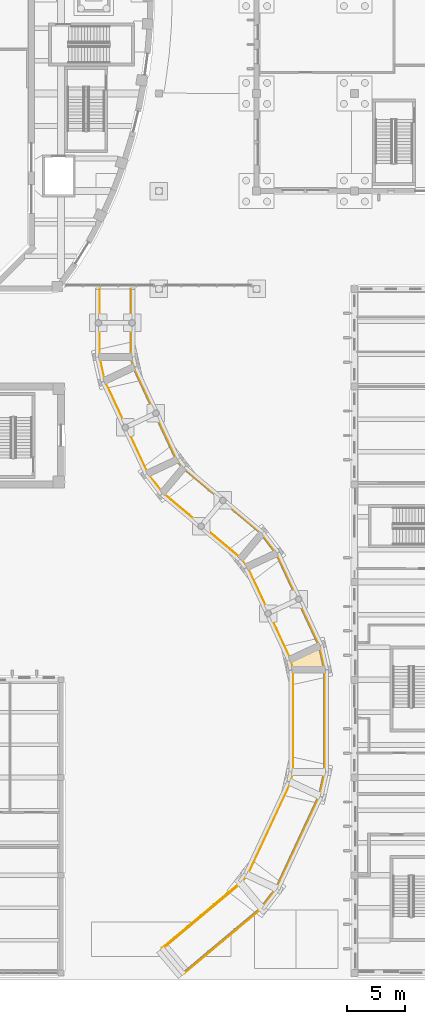
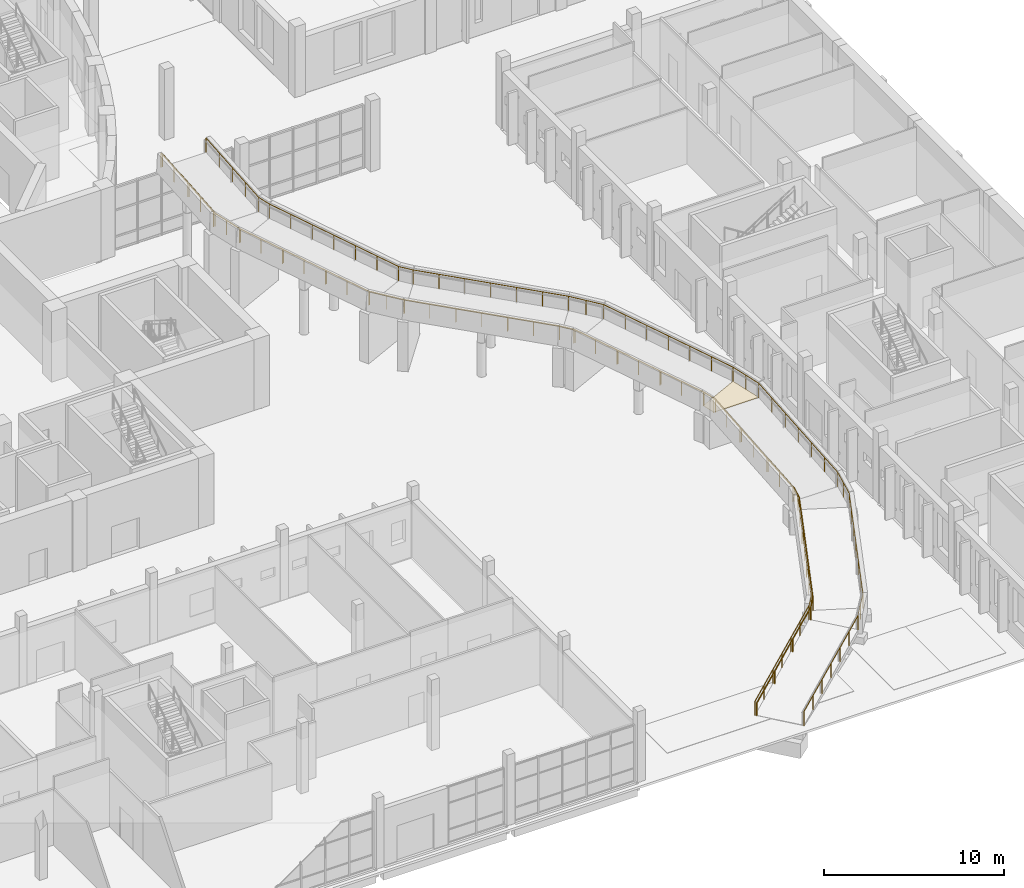
# One storey, part 87 of 110: 3 railings, 1 covering.
"""IFC4 building model written with IfcOpenShell, lengths in metres."""

from ifc_helpers import new_model, si_unit, direction, frame, origin, origin_2d, place, context, subcontext, project, spatial, polyline, circle, outline, extrude, material, layer, layer_set, type_object, element, save


model = new_model("IFC4")

# Units and contexts
model_context = context("Model", 3, precision=1e-05, world=origin(), true_north=direction((0.0, 1.0)))
body_context = subcontext(model_context, "Body", "Model", "MODEL_VIEW")
ifc_project = project(units=[si_unit("LENGTHUNIT", "METRE"), si_unit("AREAUNIT", "SQUARE_METRE"), si_unit("VOLUMEUNIT", "CUBIC_METRE"), si_unit("PLANEANGLEUNIT", "RADIAN"), si_unit("MASSUNIT", "GRAM", prefix="KILO")], contexts=[model_context])

# Site, building, storey
site_placement = place(None, origin())
site = spatial("IfcSite", under=ifc_project, at=site_placement, CompositionType="ELEMENT")
building_placement = place(site_placement, origin())
building = spatial("IfcBuilding", under=site, at=building_placement, Name="Larchfold Concert Hall", CompositionType="ELEMENT")
storey_placement = place(building_placement, origin())
storey = spatial("IfcBuildingStorey", under=building, at=storey_placement, Name="L00", CompositionType="ELEMENT", Elevation=0.0)

# Railings
ifc_material_1 = material(Name="Graphite painted steel guard", Category="steel")
railing_type_1 = type_object("IfcRailingType", Name="Ramp guard 1000", PredefinedType="GUARDRAIL", material=ifc_material_1)
railing_1_placement = place(storey_placement, frame((68.06787109375, 2.731689453125, 0.0)))
element("IfcRailing", 1, at=railing_1_placement, inside=storey, type_object=railing_type_1, Name="Ramp guard left", PredefinedType="GUARDRAIL", context=body_context, shape_type="SweptSolid", body=[
    extrude(circle(Radius=0.02392578125, at=origin_2d()), frame((0.0, 0.0, 0.97607421875), z_axis=(0.763487793167, 0.640635011704, 0.08168948197), x_axis=(-0.642783303281, 0.766048056602, 0.0)), (0.0, 0.0, 1.0), 8.8134765625),
    extrude(circle(Radius=0.02392578125, at=origin_2d()), frame((6.72900390625, 5.646240234375, 1.69580078125), z_axis=(0.608695898449, 0.793403619358, 0.0), x_axis=(-0.793403619358, 0.608695898449, 0.0)), (0.0, 0.0, 1.0), 0.872314453125),
    extrude(circle(Radius=0.02392578125, at=origin_2d()), frame((7.260009765625, 6.33837890625, 1.69580078125), z_axis=(0.421220339368, 0.903271920696, 0.081690042141), x_axis=(-0.906300974949, 0.422632870003, 0.0)), (0.0, 0.0, 1.0), 8.8134765625),
    extrude(circle(Radius=0.02392578125, at=origin_2d()), frame((10.972412109375, 14.29931640625, 2.416015625), z_axis=(0.216308204627, 0.976325130585, 0.0), x_axis=(-0.976325130585, 0.216308204627, 0.0)), (0.0, 0.0, 1.0), 0.87255859375),
    extrude(circle(Radius=0.02392578125, at=origin_2d()), frame((11.1611328125, 15.151123046875, 2.416015625), z_axis=(0.0, 0.996657743074, 0.081690532931), x_axis=(-1.0, 0.0, 0.0)), (0.0, 0.0, 1.0), 8.8134765625),
    extrude(circle(Radius=0.02392578125, at=origin_2d()), frame((11.1611328125, 23.93505859375, 3.1357421875), z_axis=(-0.216367316771, 0.976312032208, 0.0), x_axis=(-0.976312032208, -0.216367316771, 0.0)), (0.0, 0.0, 1.0), 0.872314453125),
    extrude(circle(Radius=0.02392578125, at=origin_2d()), frame((10.972412109375, 24.78662109375, 3.1357421875), z_axis=(-0.421220339368, 0.903271920696, 0.081690042141), x_axis=(-0.906300974949, -0.422632870003, 0.0)), (0.0, 0.0, 1.0), 8.8134765625),
    extrude(circle(Radius=0.02392578125, at=origin_2d()), frame((7.260009765625, 32.74755859375, 3.85595703125), z_axis=(-0.608695898449, 0.793403619358, 0.0), x_axis=(-0.793403619358, -0.608695898449, 0.0)), (0.0, 0.0, 1.0), 0.872314453125),
    extrude(circle(Radius=0.02392578125, at=origin_2d()), frame((6.72900390625, 33.439697265625, 3.85595703125), z_axis=(-0.763486065215, 0.640633561796, 0.081716997764), x_axis=(-0.642783303281, -0.766048056602, 0.0)), (0.0, 0.0, 1.0), 8.8134765625),
    extrude(circle(Radius=0.02392578125, at=origin_2d()), frame((0.0, 39.0859375, 4.576171875), z_axis=(-0.608739848715, 0.793369898967, 0.0), x_axis=(-0.793369898967, -0.608739848715, 0.0)), (0.0, 0.0, 1.0), 2.127685546875),
    extrude(circle(Radius=0.02392578125, at=origin_2d()), frame((-1.295166015625, 40.77392578125, 4.576171875), z_axis=(-0.42119755292, 0.903282460087, 0.081690995302), x_axis=(-0.906311620726, -0.42261004027, 0.0)), (0.0, 0.0, 1.0), 8.813232421875),
    extrude(circle(Radius=0.02392578125, at=origin_2d()), frame((-5.00732421875, 48.73486328125, 5.2958984375), z_axis=(-0.216505242245, 0.97628145536, 0.0), x_axis=(-0.97628145536, -0.216505242245, 0.0)), (0.0, 0.0, 1.0), 2.1279296875),
    extrude(circle(Radius=0.02392578125, at=origin_2d()), frame((-5.468017578125, 50.812255859375, 5.2958984375), z_axis=(0.0, 0.996657743074, 0.081690532931), x_axis=(-1.0, 0.0, 0.0)), (0.0, 0.0, 1.0), 5.87548828125),
    extrude(circle(Radius=0.02099609375, at=origin_2d()), origin(), (0.0, 0.0, 1.0), 0.951904296875),
    extrude(circle(Radius=0.02099609375, at=origin_2d()), frame((1.12158203125, 0.94091796875, 0.1201171875)), (0.0, 0.0, 1.0), 0.951904296875),
    extrude(circle(Radius=0.02099609375, at=origin_2d()), frame((2.242919921875, 1.882080078125, 0.239990234375)), (0.0, 0.0, 1.0), 0.951904296875),
    extrude(circle(Radius=0.02099609375, at=origin_2d()), frame((3.364501953125, 2.8232421875, 0.35986328125)), (0.0, 0.0, 1.0), 0.951904296875),
    extrude(circle(Radius=0.02099609375, at=origin_2d()), frame((4.486083984375, 3.76416015625, 0.47998046875)), (0.0, 0.0, 1.0), 0.951904296875),
    extrude(circle(Radius=0.02099609375, at=origin_2d()), frame((5.607421875, 4.705078125, 0.60009765625)), (0.0, 0.0, 1.0), 0.951904296875),
    extrude(circle(Radius=0.02099609375, at=origin_2d()), frame((6.72900390625, 5.646240234375, 0.719970703125)), (0.0, 0.0, 1.0), 0.951904296875),
    extrude(circle(Radius=0.02099609375, at=origin_2d()), frame((7.260009765625, 6.33837890625, 0.719970703125)), (0.0, 0.0, 1.0), 0.951904296875),
    extrude(circle(Radius=0.02099609375, at=origin_2d()), frame((7.878662109375, 7.665283203125, 0.83984375)), (0.0, 0.0, 1.0), 0.951904296875),
    extrude(circle(Radius=0.02099609375, at=origin_2d()), frame((8.49755859375, 8.991943359375, 0.9599609375)), (0.0, 0.0, 1.0), 0.951904296875),
    extrude(circle(Radius=0.02099609375, at=origin_2d()), frame((9.1162109375, 10.31884765625, 1.080078125)), (0.0, 0.0, 1.0), 0.951904296875),
    extrude(circle(Radius=0.02099609375, at=origin_2d()), frame((9.73486328125, 11.645751953125, 1.199951171875)), (0.0, 0.0, 1.0), 0.951904296875),
    extrude(circle(Radius=0.02099609375, at=origin_2d()), frame((10.353759765625, 12.972412109375, 1.31982421875)), (0.0, 0.0, 1.0), 0.951904296875),
    extrude(circle(Radius=0.02099609375, at=origin_2d()), frame((10.972412109375, 14.29931640625, 1.43994140625)), (0.0, 0.0, 1.0), 0.951904296875),
    extrude(circle(Radius=0.02099609375, at=origin_2d()), frame((11.1611328125, 15.151123046875, 1.43994140625)), (0.0, 0.0, 1.0), 0.951904296875),
    extrude(circle(Radius=0.02099609375, at=origin_2d()), frame((11.1611328125, 16.615234375, 1.56005859375)), (0.0, 0.0, 1.0), 0.951904296875),
    extrude(circle(Radius=0.02099609375, at=origin_2d()), frame((11.1611328125, 18.0791015625, 1.679931640625)), (0.0, 0.0, 1.0), 0.951904296875),
    extrude(circle(Radius=0.02099609375, at=origin_2d()), frame((11.1611328125, 19.54296875, 1.7998046875)), (0.0, 0.0, 1.0), 0.951904296875),
    extrude(circle(Radius=0.02099609375, at=origin_2d()), frame((11.1611328125, 21.007080078125, 1.919921875)), (0.0, 0.0, 1.0), 0.951904296875),
    extrude(circle(Radius=0.02099609375, at=origin_2d()), frame((11.1611328125, 22.47119140625, 2.0400390625)), (0.0, 0.0, 1.0), 0.951904296875),
    extrude(circle(Radius=0.02099609375, at=origin_2d()), frame((11.1611328125, 23.93505859375, 2.159912109375)), (0.0, 0.0, 1.0), 0.951904296875),
    extrude(circle(Radius=0.02099609375, at=origin_2d()), frame((10.972412109375, 24.78662109375, 2.159912109375)), (0.0, 0.0, 1.0), 0.951904296875),
    extrude(circle(Radius=0.02099609375, at=origin_2d()), frame((10.353759765625, 26.113525390625, 2.27978515625)), (0.0, 0.0, 1.0), 0.951904296875),
    extrude(circle(Radius=0.02099609375, at=origin_2d()), frame((9.73486328125, 27.440185546875, 2.39990234375)), (0.0, 0.0, 1.0), 0.951904296875),
    extrude(circle(Radius=0.02099609375, at=origin_2d()), frame((9.1162109375, 28.76708984375, 2.52001953125)), (0.0, 0.0, 1.0), 0.951904296875),
    extrude(circle(Radius=0.02099609375, at=origin_2d()), frame((8.49755859375, 30.093994140625, 2.639892578125)), (0.0, 0.0, 1.0), 0.951904296875),
    extrude(circle(Radius=0.02099609375, at=origin_2d()), frame((7.878662109375, 31.420654296875, 2.759765625)), (0.0, 0.0, 1.0), 0.951904296875),
    extrude(circle(Radius=0.02099609375, at=origin_2d()), frame((7.260009765625, 32.74755859375, 2.8798828125)), (0.0, 0.0, 1.0), 0.951904296875),
    extrude(circle(Radius=0.02099609375, at=origin_2d()), frame((6.72900390625, 33.439697265625, 2.8798828125)), (0.0, 0.0, 1.0), 0.951904296875),
    extrude(circle(Radius=0.02099609375, at=origin_2d()), frame((5.607421875, 34.380859375, 3.0)), (0.0, 0.0, 1.0), 0.951904296875),
    extrude(circle(Radius=0.02099609375, at=origin_2d()), frame((4.486083984375, 35.32177734375, 3.119873046875)), (0.0, 0.0, 1.0), 0.951904296875),
    extrude(circle(Radius=0.02099609375, at=origin_2d()), frame((3.364501953125, 36.2626953125, 3.239990234375)), (0.0, 0.0, 1.0), 0.951904296875),
    extrude(circle(Radius=0.02099609375, at=origin_2d()), frame((2.242919921875, 37.203857421875, 3.360107421875)), (0.0, 0.0, 1.0), 0.951904296875),
    extrude(circle(Radius=0.02099609375, at=origin_2d()), frame((1.12158203125, 38.14501953125, 3.47998046875)), (0.0, 0.0, 1.0), 0.951904296875),
    extrude(circle(Radius=0.02099609375, at=origin_2d()), frame((0.0, 39.0859375, 3.60009765625)), (0.0, 0.0, 1.0), 0.951904296875),
    extrude(circle(Radius=0.02099609375, at=origin_2d()), frame((-0.6474609375, 39.929931640625, 3.60009765625)), (0.0, 0.0, 1.0), 0.951904296875),
    extrude(circle(Radius=0.02099609375, at=origin_2d()), frame((-1.295166015625, 40.77392578125, 3.60009765625)), (0.0, 0.0, 1.0), 0.951904296875),
    extrude(circle(Radius=0.02099609375, at=origin_2d()), frame((-1.913818359375, 42.100830078125, 3.72021484375)), (0.0, 0.0, 1.0), 0.951904296875),
    extrude(circle(Radius=0.02099609375, at=origin_2d()), frame((-2.532470703125, 43.427490234375, 3.840087890625)), (0.0, 0.0, 1.0), 0.951904296875),
    extrude(circle(Radius=0.02099609375, at=origin_2d()), frame((-3.1513671875, 44.75439453125, 3.9599609375)), (0.0, 0.0, 1.0), 0.951904296875),
    extrude(circle(Radius=0.02099609375, at=origin_2d()), frame((-3.77001953125, 46.081298828125, 4.080078125)), (0.0, 0.0, 1.0), 0.951904296875),
    extrude(circle(Radius=0.02099609375, at=origin_2d()), frame((-4.388671875, 47.407958984375, 4.2001953125)), (0.0, 0.0, 1.0), 0.951904296875),
    extrude(circle(Radius=0.02099609375, at=origin_2d()), frame((-5.00732421875, 48.73486328125, 4.320068359375)), (0.0, 0.0, 1.0), 0.951904296875),
    extrude(circle(Radius=0.02099609375, at=origin_2d()), frame((-5.23779296875, 49.7734375, 4.320068359375)), (0.0, 0.0, 1.0), 0.951904296875),
    extrude(circle(Radius=0.02099609375, at=origin_2d()), frame((-5.468017578125, 50.812255859375, 4.320068359375)), (0.0, 0.0, 1.0), 0.951904296875),
    extrude(circle(Radius=0.02099609375, at=origin_2d()), frame((-5.468017578125, 52.2763671875, 4.43994140625)), (0.0, 0.0, 1.0), 0.951904296875),
    extrude(circle(Radius=0.02099609375, at=origin_2d()), frame((-5.468017578125, 53.740234375, 4.56005859375)), (0.0, 0.0, 1.0), 0.951904296875),
    extrude(circle(Radius=0.02099609375, at=origin_2d()), frame((-5.468017578125, 55.2041015625, 4.68017578125)), (0.0, 0.0, 1.0), 0.951904296875),
    extrude(circle(Radius=0.02099609375, at=origin_2d()), frame((-5.468017578125, 56.668212890625, 4.800048828125)), (0.0, 0.0, 1.0), 0.951904296875),
])
railing_2_placement = place(storey_placement, frame((69.93212890625, 0.51025390625, 0.0)))
element("IfcRailing", 2, at=railing_2_placement, inside=storey, type_object=railing_type_1, Name="Ramp guard right", PredefinedType="GUARDRAIL", context=body_context, shape_type="SweptSolid", body=[
    extrude(circle(Radius=0.02392578125, at=origin_2d()), frame((0.0, 0.0, 0.97607421875), z_axis=(0.763476239199, 0.640648560791, 0.081691209658), x_axis=(-0.642796989134, 0.76603657273, 0.0)), (0.0, 0.0, 1.0), 8.813232421875),
    extrude(circle(Radius=0.02392578125, at=origin_2d()), frame((6.728759765625, 5.646240234375, 1.69580078125), z_axis=(0.608812067849, 0.793314481174, 0.0), x_axis=(-0.793314481174, 0.608812067849, 0.0)), (0.0, 0.0, 1.0), 2.127685546875),
    extrude(circle(Radius=0.02392578125, at=origin_2d()), frame((8.024169921875, 7.334228515625, 1.69580078125), z_axis=(0.42119755292, 0.903282460087, 0.081690995302), x_axis=(-0.906311620726, 0.42261004027, 0.0)), (0.0, 0.0, 1.0), 8.813232421875),
    extrude(circle(Radius=0.02392578125, at=origin_2d()), frame((11.736328125, 15.295166015625, 2.416015625), z_axis=(0.216395881169, 0.976305701414, 0.0), x_axis=(-0.976305701414, 0.216395881169, 0.0)), (0.0, 0.0, 1.0), 2.1279296875),
    extrude(circle(Radius=0.02392578125, at=origin_2d()), frame((12.19677734375, 17.37255859375, 2.416015625), z_axis=(0.0, 0.996657743074, 0.081690532931), x_axis=(-1.0, 0.0, 0.0)), (0.0, 0.0, 1.0), 8.8134765625),
    extrude(circle(Radius=0.02392578125, at=origin_2d()), frame((12.19677734375, 26.156494140625, 3.1357421875), z_axis=(-0.216420124348, 0.976300327654, 0.0), x_axis=(-0.976300327654, -0.216420124348, 0.0)), (0.0, 0.0, 1.0), 2.127685546875),
    extrude(circle(Radius=0.02392578125, at=origin_2d()), frame((11.736328125, 28.233642578125, 3.1357421875), z_axis=(-0.42119755292, 0.903282460087, 0.081690995302), x_axis=(-0.906311620726, -0.42261004027, 0.0)), (0.0, 0.0, 1.0), 8.813232421875),
    extrude(circle(Radius=0.02392578125, at=origin_2d()), frame((8.024169921875, 36.194580078125, 3.85595703125), z_axis=(-0.608812067849, 0.793314481174, 0.0), x_axis=(-0.793314481174, -0.608812067849, 0.0)), (0.0, 0.0, 1.0), 2.127685546875),
    extrude(circle(Radius=0.02392578125, at=origin_2d()), frame((6.728759765625, 37.882568359375, 3.85595703125), z_axis=(-0.763460962088, 0.640663442225, 0.081717275794), x_axis=(-0.642813298681, -0.766022886759, 0.0)), (0.0, 0.0, 1.0), 8.8134765625),
    extrude(circle(Radius=0.02392578125, at=origin_2d()), frame((0.0, 43.529052734375, 4.576171875), z_axis=(-0.608831075733, 0.793299893622, 0.0), x_axis=(-0.793299893622, -0.608831075733, 0.0)), (0.0, 0.0, 1.0), 0.8720703125),
    extrude(circle(Radius=0.02392578125, at=origin_2d()), frame((-0.531005859375, 44.220947265625, 4.576171875), z_axis=(-0.421220339368, 0.903271920696, 0.081690042141), x_axis=(-0.906300974949, -0.422632870003, 0.0)), (0.0, 0.0, 1.0), 8.8134765625),
    extrude(circle(Radius=0.02392578125, at=origin_2d()), frame((-4.243408203125, 52.181884765625, 5.2958984375), z_axis=(-0.216308204627, 0.976325130585, 0.0), x_axis=(-0.976325130585, -0.216308204627, 0.0)), (0.0, 0.0, 1.0), 0.87255859375),
    extrude(circle(Radius=0.02392578125, at=origin_2d()), frame((-4.43212890625, 53.03369140625, 5.2958984375), z_axis=(0.0, 0.996657743074, 0.081690532931), x_axis=(-1.0, 0.0, 0.0)), (0.0, 0.0, 1.0), 5.87548828125),
    extrude(circle(Radius=0.02099609375, at=origin_2d()), origin(), (0.0, 0.0, 1.0), 0.951904296875),
    extrude(circle(Radius=0.02099609375, at=origin_2d()), frame((1.12158203125, 0.94091796875, 0.1201171875)), (0.0, 0.0, 1.0), 0.951904296875),
    extrude(circle(Radius=0.02099609375, at=origin_2d()), frame((2.242919921875, 1.882080078125, 0.239990234375)), (0.0, 0.0, 1.0), 0.951904296875),
    extrude(circle(Radius=0.02099609375, at=origin_2d()), frame((3.3642578125, 2.8232421875, 0.35986328125)), (0.0, 0.0, 1.0), 0.951904296875),
    extrude(circle(Radius=0.02099609375, at=origin_2d()), frame((4.48583984375, 3.76416015625, 0.47998046875)), (0.0, 0.0, 1.0), 0.951904296875),
    extrude(circle(Radius=0.02099609375, at=origin_2d()), frame((5.607421875, 4.705078125, 0.60009765625)), (0.0, 0.0, 1.0), 0.951904296875),
    extrude(circle(Radius=0.02099609375, at=origin_2d()), frame((6.728759765625, 5.646240234375, 0.719970703125)), (0.0, 0.0, 1.0), 0.951904296875),
    extrude(circle(Radius=0.02099609375, at=origin_2d()), frame((7.37646484375, 6.490234375, 0.719970703125)), (0.0, 0.0, 1.0), 0.951904296875),
    extrude(circle(Radius=0.02099609375, at=origin_2d()), frame((8.024169921875, 7.334228515625, 0.719970703125)), (0.0, 0.0, 1.0), 0.951904296875),
    extrude(circle(Radius=0.02099609375, at=origin_2d()), frame((8.642822265625, 8.6611328125, 0.83984375)), (0.0, 0.0, 1.0), 0.951904296875),
    extrude(circle(Radius=0.02099609375, at=origin_2d()), frame((9.261474609375, 9.98779296875, 0.9599609375)), (0.0, 0.0, 1.0), 0.951904296875),
    extrude(circle(Radius=0.02099609375, at=origin_2d()), frame((9.88037109375, 11.314697265625, 1.080078125)), (0.0, 0.0, 1.0), 0.951904296875),
    extrude(circle(Radius=0.02099609375, at=origin_2d()), frame((10.4990234375, 12.6416015625, 1.199951171875)), (0.0, 0.0, 1.0), 0.951904296875),
    extrude(circle(Radius=0.02099609375, at=origin_2d()), frame((11.11767578125, 13.96826171875, 1.31982421875)), (0.0, 0.0, 1.0), 0.951904296875),
    extrude(circle(Radius=0.02099609375, at=origin_2d()), frame((11.736328125, 15.295166015625, 1.43994140625)), (0.0, 0.0, 1.0), 0.951904296875),
    extrude(circle(Radius=0.02099609375, at=origin_2d()), frame((11.966552734375, 16.333984375, 1.43994140625)), (0.0, 0.0, 1.0), 0.951904296875),
    extrude(circle(Radius=0.02099609375, at=origin_2d()), frame((12.19677734375, 17.37255859375, 1.43994140625)), (0.0, 0.0, 1.0), 0.951904296875),
    extrude(circle(Radius=0.02099609375, at=origin_2d()), frame((12.19677734375, 18.83642578125, 1.56005859375)), (0.0, 0.0, 1.0), 0.951904296875),
    extrude(circle(Radius=0.02099609375, at=origin_2d()), frame((12.19677734375, 20.300537109375, 1.679931640625)), (0.0, 0.0, 1.0), 0.951904296875),
    extrude(circle(Radius=0.02099609375, at=origin_2d()), frame((12.19677734375, 21.7646484375, 1.7998046875)), (0.0, 0.0, 1.0), 0.951904296875),
    extrude(circle(Radius=0.02099609375, at=origin_2d()), frame((12.19677734375, 23.228515625, 1.919921875)), (0.0, 0.0, 1.0), 0.951904296875),
    extrude(circle(Radius=0.02099609375, at=origin_2d()), frame((12.19677734375, 24.6923828125, 2.0400390625)), (0.0, 0.0, 1.0), 0.951904296875),
    extrude(circle(Radius=0.02099609375, at=origin_2d()), frame((12.19677734375, 26.156494140625, 2.159912109375)), (0.0, 0.0, 1.0), 0.951904296875),
    extrude(circle(Radius=0.02099609375, at=origin_2d()), frame((11.966552734375, 27.195068359375, 2.159912109375)), (0.0, 0.0, 1.0), 0.951904296875),
    extrude(circle(Radius=0.02099609375, at=origin_2d()), frame((11.736328125, 28.233642578125, 2.159912109375)), (0.0, 0.0, 1.0), 0.951904296875),
    extrude(circle(Radius=0.02099609375, at=origin_2d()), frame((11.11767578125, 29.560546875, 2.27978515625)), (0.0, 0.0, 1.0), 0.951904296875),
    extrude(circle(Radius=0.02099609375, at=origin_2d()), frame((10.4990234375, 30.88720703125, 2.39990234375)), (0.0, 0.0, 1.0), 0.951904296875),
    extrude(circle(Radius=0.02099609375, at=origin_2d()), frame((9.88037109375, 32.214111328125, 2.52001953125)), (0.0, 0.0, 1.0), 0.951904296875),
    extrude(circle(Radius=0.02099609375, at=origin_2d()), frame((9.261474609375, 33.541015625, 2.639892578125)), (0.0, 0.0, 1.0), 0.951904296875),
    extrude(circle(Radius=0.02099609375, at=origin_2d()), frame((8.642822265625, 34.86767578125, 2.759765625)), (0.0, 0.0, 1.0), 0.951904296875),
    extrude(circle(Radius=0.02099609375, at=origin_2d()), frame((8.024169921875, 36.194580078125, 2.8798828125)), (0.0, 0.0, 1.0), 0.951904296875),
    extrude(circle(Radius=0.02099609375, at=origin_2d()), frame((7.37646484375, 37.03857421875, 2.8798828125)), (0.0, 0.0, 1.0), 0.951904296875),
    extrude(circle(Radius=0.02099609375, at=origin_2d()), frame((6.728759765625, 37.882568359375, 2.8798828125)), (0.0, 0.0, 1.0), 0.951904296875),
    extrude(circle(Radius=0.02099609375, at=origin_2d()), frame((5.607421875, 38.82373046875, 3.0)), (0.0, 0.0, 1.0), 0.951904296875),
    extrude(circle(Radius=0.02099609375, at=origin_2d()), frame((4.48583984375, 39.7646484375, 3.119873046875)), (0.0, 0.0, 1.0), 0.951904296875),
    extrude(circle(Radius=0.02099609375, at=origin_2d()), frame((3.3642578125, 40.705810546875, 3.239990234375)), (0.0, 0.0, 1.0), 0.951904296875),
    extrude(circle(Radius=0.02099609375, at=origin_2d()), frame((2.242919921875, 41.64697265625, 3.360107421875)), (0.0, 0.0, 1.0), 0.951904296875),
    extrude(circle(Radius=0.02099609375, at=origin_2d()), frame((1.12158203125, 42.587890625, 3.47998046875)), (0.0, 0.0, 1.0), 0.951904296875),
    extrude(circle(Radius=0.02099609375, at=origin_2d()), frame((0.0, 43.529052734375, 3.60009765625)), (0.0, 0.0, 1.0), 0.951904296875),
    extrude(circle(Radius=0.02099609375, at=origin_2d()), frame((-0.531005859375, 44.220947265625, 3.60009765625)), (0.0, 0.0, 1.0), 0.951904296875),
    extrude(circle(Radius=0.02099609375, at=origin_2d()), frame((-1.149658203125, 45.5478515625, 3.72021484375)), (0.0, 0.0, 1.0), 0.951904296875),
    extrude(circle(Radius=0.02099609375, at=origin_2d()), frame((-1.7685546875, 46.87451171875, 3.840087890625)), (0.0, 0.0, 1.0), 0.951904296875),
    extrude(circle(Radius=0.02099609375, at=origin_2d()), frame((-2.38720703125, 48.201416015625, 3.9599609375)), (0.0, 0.0, 1.0), 0.951904296875),
    extrude(circle(Radius=0.02099609375, at=origin_2d()), frame((-3.005859375, 49.5283203125, 4.080078125)), (0.0, 0.0, 1.0), 0.951904296875),
    extrude(circle(Radius=0.02099609375, at=origin_2d()), frame((-3.624755859375, 50.85498046875, 4.2001953125)), (0.0, 0.0, 1.0), 0.951904296875),
    extrude(circle(Radius=0.02099609375, at=origin_2d()), frame((-4.243408203125, 52.181884765625, 4.320068359375)), (0.0, 0.0, 1.0), 0.951904296875),
    extrude(circle(Radius=0.02099609375, at=origin_2d()), frame((-4.43212890625, 53.03369140625, 4.320068359375)), (0.0, 0.0, 1.0), 0.951904296875),
    extrude(circle(Radius=0.02099609375, at=origin_2d()), frame((-4.43212890625, 54.49755859375, 4.43994140625)), (0.0, 0.0, 1.0), 0.951904296875),
    extrude(circle(Radius=0.02099609375, at=origin_2d()), frame((-4.43212890625, 55.961669921875, 4.56005859375)), (0.0, 0.0, 1.0), 0.951904296875),
    extrude(circle(Radius=0.02099609375, at=origin_2d()), frame((-4.43212890625, 57.42578125, 4.68017578125)), (0.0, 0.0, 1.0), 0.951904296875),
    extrude(circle(Radius=0.02099609375, at=origin_2d()), frame((-4.43212890625, 58.8896484375, 4.800048828125)), (0.0, 0.0, 1.0), 0.951904296875),
])
ifc_material_2 = material(Name="Stainless steel handrail", Category="steel")
railing_type_2 = type_object("IfcRailingType", Name="Ramp handrail 900", PredefinedType="HANDRAIL", material=ifc_material_2)
railing_3_placement = place(storey_placement, frame((68.132080078125, 2.655029296875, 0.0)))
element("IfcRailing", 3, at=railing_3_placement, inside=storey, type_object=railing_type_2, Name="Ramp handrail left", PredefinedType="HANDRAIL", context=body_context, shape_type="SweptSolid", body=[
    extrude(circle(Radius=0.02392578125, at=origin_2d()), frame((0.0, 0.0, 0.8759765625), z_axis=(0.763487793167, 0.640635011704, 0.08168948197), x_axis=(-0.642783303281, 0.766048056602, 0.0)), (0.0, 0.0, 1.0), 8.8134765625),
    extrude(circle(Radius=0.02392578125, at=origin_2d()), frame((6.72900390625, 5.646240234375, 1.595703125), z_axis=(0.608666594902, 0.793426100056, 0.0), x_axis=(-0.793426100056, 0.608666594902, 0.0)), (0.0, 0.0, 1.0), 0.915771484375),
    extrude(circle(Radius=0.02392578125, at=origin_2d()), frame((7.286376953125, 6.372802734375, 1.595703125), z_axis=(0.421220339368, 0.903271920696, 0.081690042141), x_axis=(-0.906300974949, 0.422632870003, 0.0)), (0.0, 0.0, 1.0), 8.8134765625),
    extrude(circle(Radius=0.02392578125, at=origin_2d()), frame((10.998779296875, 14.333740234375, 2.31591796875), z_axis=(0.216478783704, 0.976287322567, 0.0), x_axis=(-0.976287322567, 0.216478783704, 0.0)), (0.0, 0.0, 1.0), 0.915771484375),
    extrude(circle(Radius=0.02392578125, at=origin_2d()), frame((11.197021484375, 15.227783203125, 2.31591796875), z_axis=(0.0, 0.996657743074, 0.081690532931), x_axis=(-1.0, 0.0, 0.0)), (0.0, 0.0, 1.0), 8.8134765625),
    extrude(circle(Radius=0.02392578125, at=origin_2d()), frame((11.197021484375, 24.01171875, 3.03564453125), z_axis=(-0.216535142612, 0.976274824019, 0.0), x_axis=(-0.976274824019, -0.216535142612, 0.0)), (0.0, 0.0, 1.0), 0.91552734375),
    extrude(circle(Radius=0.02392578125, at=origin_2d()), frame((10.998779296875, 24.905517578125, 3.03564453125), z_axis=(-0.421220339368, 0.903271920696, 0.081690042141), x_axis=(-0.906300974949, -0.422632870003, 0.0)), (0.0, 0.0, 1.0), 8.8134765625),
    extrude(circle(Radius=0.02392578125, at=origin_2d()), frame((7.286376953125, 32.866455078125, 3.755859375), z_axis=(-0.608666594902, 0.793426100056, 0.0), x_axis=(-0.793426100056, -0.608666594902, 0.0)), (0.0, 0.0, 1.0), 0.915771484375),
    extrude(circle(Radius=0.02392578125, at=origin_2d()), frame((6.72900390625, 33.593017578125, 3.755859375), z_axis=(-0.763486065215, 0.640633561796, 0.081716997764), x_axis=(-0.642783303281, -0.766048056602, 0.0)), (0.0, 0.0, 1.0), 8.8134765625),
    extrude(circle(Radius=0.02392578125, at=origin_2d()), frame((0.0, 39.2392578125, 4.47607421875), z_axis=(-0.608753636883, 0.793359319339, 0.0), x_axis=(-0.793359319339, -0.608753636883, 0.0)), (0.0, 0.0, 1.0), 2.084228515625),
    extrude(circle(Radius=0.02392578125, at=origin_2d()), frame((-1.268798828125, 40.892822265625, 4.47607421875), z_axis=(-0.42119755292, 0.903282460087, 0.081690995302), x_axis=(-0.906311620726, -0.42261004027, 0.0)), (0.0, 0.0, 1.0), 8.813232421875),
    extrude(circle(Radius=0.02392578125, at=origin_2d()), frame((-4.98095703125, 48.853759765625, 5.19580078125), z_axis=(-0.216434399867, 0.976297163037, 0.0), x_axis=(-0.976297163037, -0.216434399867, 0.0)), (0.0, 0.0, 1.0), 2.08447265625),
    extrude(circle(Radius=0.02392578125, at=origin_2d()), frame((-5.43212890625, 50.888916015625, 5.19580078125), z_axis=(0.0, 0.996657743074, 0.081690532931), x_axis=(-1.0, 0.0, 0.0)), (0.0, 0.0, 1.0), 5.87548828125),
    extrude(circle(Radius=0.01513671875, at=origin_2d()), origin(), (0.0, 0.0, 1.0), 0.851806640625),
    extrude(circle(Radius=0.01513671875, at=origin_2d()), frame((2.242919921875, 1.882080078125, 0.239990234375)), (0.0, 0.0, 1.0), 0.851806640625),
    extrude(circle(Radius=0.01513671875, at=origin_2d()), frame((4.486083984375, 3.76416015625, 0.47998046875)), (0.0, 0.0, 1.0), 0.851806640625),
    extrude(circle(Radius=0.01513671875, at=origin_2d()), frame((6.72900390625, 5.646240234375, 0.719970703125)), (0.0, 0.0, 1.0), 0.851806640625),
    extrude(circle(Radius=0.01513671875, at=origin_2d()), frame((7.286376953125, 6.372802734375, 0.719970703125)), (0.0, 0.0, 1.0), 0.851806640625),
    extrude(circle(Radius=0.01513671875, at=origin_2d()), frame((8.52392578125, 9.0263671875, 0.9599609375)), (0.0, 0.0, 1.0), 0.851806640625),
    extrude(circle(Radius=0.01513671875, at=origin_2d()), frame((9.76123046875, 11.68017578125, 1.199951171875)), (0.0, 0.0, 1.0), 0.851806640625),
    extrude(circle(Radius=0.01513671875, at=origin_2d()), frame((10.998779296875, 14.333740234375, 1.43994140625)), (0.0, 0.0, 1.0), 0.851806640625),
    extrude(circle(Radius=0.01513671875, at=origin_2d()), frame((11.197021484375, 15.227783203125, 1.43994140625)), (0.0, 0.0, 1.0), 0.851806640625),
    extrude(circle(Radius=0.01513671875, at=origin_2d()), frame((11.197021484375, 18.15576171875, 1.679931640625)), (0.0, 0.0, 1.0), 0.851806640625),
    extrude(circle(Radius=0.01513671875, at=origin_2d()), frame((11.197021484375, 21.083740234375, 1.919921875)), (0.0, 0.0, 1.0), 0.851806640625),
    extrude(circle(Radius=0.01513671875, at=origin_2d()), frame((11.197021484375, 24.01171875, 2.159912109375)), (0.0, 0.0, 1.0), 0.851806640625),
    extrude(circle(Radius=0.01513671875, at=origin_2d()), frame((10.998779296875, 24.905517578125, 2.159912109375)), (0.0, 0.0, 1.0), 0.851806640625),
    extrude(circle(Radius=0.01513671875, at=origin_2d()), frame((9.76123046875, 27.55908203125, 2.39990234375)), (0.0, 0.0, 1.0), 0.851806640625),
    extrude(circle(Radius=0.01513671875, at=origin_2d()), frame((8.52392578125, 30.212890625, 2.639892578125)), (0.0, 0.0, 1.0), 0.851806640625),
    extrude(circle(Radius=0.01513671875, at=origin_2d()), frame((7.286376953125, 32.866455078125, 2.8798828125)), (0.0, 0.0, 1.0), 0.851806640625),
    extrude(circle(Radius=0.01513671875, at=origin_2d()), frame((6.72900390625, 33.593017578125, 2.8798828125)), (0.0, 0.0, 1.0), 0.851806640625),
    extrude(circle(Radius=0.01513671875, at=origin_2d()), frame((4.486083984375, 35.47509765625, 3.119873046875)), (0.0, 0.0, 1.0), 0.851806640625),
    extrude(circle(Radius=0.01513671875, at=origin_2d()), frame((2.242919921875, 37.357177734375, 3.360107421875)), (0.0, 0.0, 1.0), 0.851806640625),
    extrude(circle(Radius=0.01513671875, at=origin_2d()), frame((0.0, 39.2392578125, 3.60009765625)), (0.0, 0.0, 1.0), 0.851806640625),
    extrude(circle(Radius=0.01513671875, at=origin_2d()), frame((-1.268798828125, 40.892822265625, 3.60009765625)), (0.0, 0.0, 1.0), 0.851806640625),
    extrude(circle(Radius=0.01513671875, at=origin_2d()), frame((-2.506103515625, 43.54638671875, 3.840087890625)), (0.0, 0.0, 1.0), 0.851806640625),
    extrude(circle(Radius=0.01513671875, at=origin_2d()), frame((-3.74365234375, 46.2001953125, 4.080078125)), (0.0, 0.0, 1.0), 0.851806640625),
    extrude(circle(Radius=0.01513671875, at=origin_2d()), frame((-4.98095703125, 48.853759765625, 4.320068359375)), (0.0, 0.0, 1.0), 0.851806640625),
    extrude(circle(Radius=0.01513671875, at=origin_2d()), frame((-5.43212890625, 50.888916015625, 4.320068359375)), (0.0, 0.0, 1.0), 0.851806640625),
    extrude(circle(Radius=0.01513671875, at=origin_2d()), frame((-5.43212890625, 53.81689453125, 4.56005859375)), (0.0, 0.0, 1.0), 0.851806640625),
    extrude(circle(Radius=0.01513671875, at=origin_2d()), frame((-5.43212890625, 56.744873046875, 4.800048828125)), (0.0, 0.0, 1.0), 0.851806640625),
])

# Covering
ifc_material_3 = material(Name="Non-slip broom-finished concrete topping", Category="concrete")
ifc_layer = layer(ifc_material_3, 0.030029296875)
ifc_layer_set = layer_set([ifc_layer], Name="Non-slip broom-finished concrete topping")
covering_type = type_object("IfcCoveringType", Name="Ramp surface non-slip 30", PredefinedType="FLOORING", material=ifc_layer_set)
covering_placement = place(storey_placement, frame((79.22900390625, 26.666748046875, 2.18994140625), z_axis=(0.0, 0.0, 1.0), x_axis=(-0.216367316771, 0.976312032208, 0.0)))
element("IfcCovering", 4, at=covering_placement, inside=storey, type_object=covering_type, Name="Ramp surface RL03", PredefinedType="FLOORING", context=body_context, shape_type="SweptSolid", body=[
    extrude(outline(polyline([(0.0, 0.0), (0.8722237070810701, 0.0), (1.500127085168186, -2.8310944719005335), (-0.6274440890145039, -2.831209550430258), (0.0, 0.0)])), origin(), (0.0, 0.0, -1.0), 0.030029296875),
])

save(model, "model.ifc")
